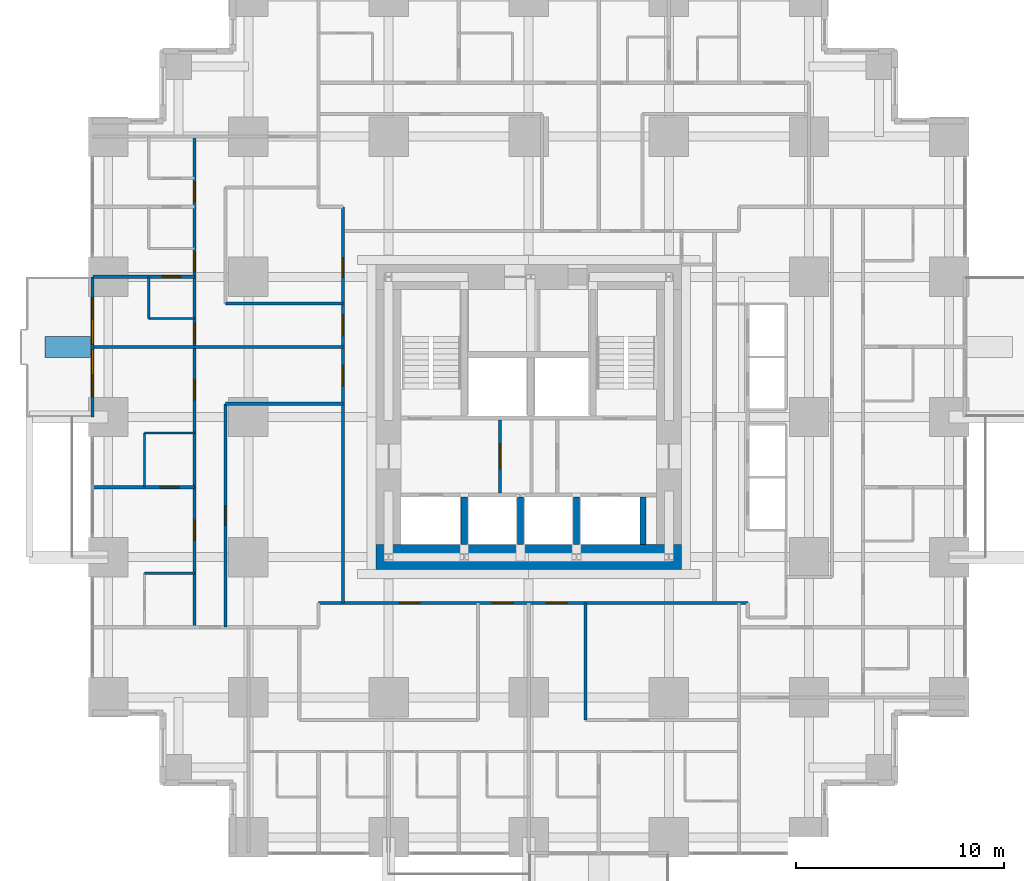
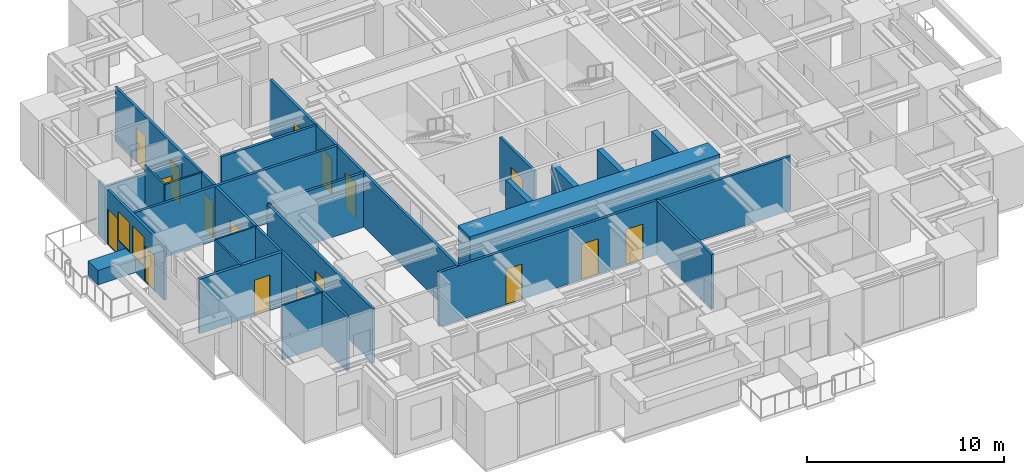
# One storey, part 9 of 14: 23 walls, 17 doors, 2 windows, 19 openings.
"""IFC4 building model written with IfcOpenShell, lengths in metres."""

from ifc_helpers import new_model, si_unit, direction, frame, frame_2d, origin, place, context, subcontext, project, spatial, rectangle, extrude, material, layer, layer_set, type_object, element, fill, save


model = new_model("IFC4")

# Units and contexts
model_context = context("Model", 3, precision=1e-05, world=origin(), true_north=direction((0.0, 1.0)))
body_context = subcontext(model_context, "Body", "Model", "MODEL_VIEW")
ifc_project = project(units=[si_unit("LENGTHUNIT", "METRE"), si_unit("AREAUNIT", "SQUARE_METRE"), si_unit("VOLUMEUNIT", "CUBIC_METRE"), si_unit("PLANEANGLEUNIT", "RADIAN"), si_unit("MASSUNIT", "GRAM", prefix="KILO")], contexts=[model_context])

# Site, building, storey
site_placement = place(None, origin())
site = spatial("IfcSite", under=ifc_project, at=site_placement, CompositionType="ELEMENT")
building_placement = place(site_placement, origin())
building = spatial("IfcBuilding", under=site, at=building_placement, Name="Nyansa Garden Tower", CompositionType="ELEMENT")
storey_placement = place(building_placement, frame((0.0, 0.0, 21.60009765625)))
storey = spatial("IfcBuildingStorey", under=building, at=storey_placement, Name="L05", CompositionType="ELEMENT", Elevation=21.60009765625)

# Wall, opening, door
ifc_material_1 = material(Name="Dense blockwork, plastered both sides, 55 dB", Category="masonry")
ifc_layer_1 = layer(ifc_material_1, 0.175048828125)
ifc_layer_set_1 = layer_set([ifc_layer_1], Name="Acoustic party wall PW175")
wall_type_1 = type_object("IfcWallType", Name="Acoustic party wall PW175", PredefinedType="PARTITIONING", material=ifc_layer_set_1)
wall_1_placement = place(storey_placement, frame((-0.73388671875, 16.875, 0.0), z_axis=(0.0, 0.0, 1.0), x_axis=(1.0, 0.0, 0.0)))
wall_1 = element("IfcWall", 1, at=wall_1_placement, inside=storey, type_object=wall_type_1, Name="Party wall", PredefinedType="PARTITIONING", context=body_context, shape_type="SweptSolid", body=[
    extrude(rectangle(XDim=4.8837890625, YDim=0.175048828125, at=frame_2d((2.44189453125, 0.0))), origin(), (0.0, 0.0, 1.0), 3.375),
])
opening_1_placement = place(wall_1_placement, frame((3.23388671875, 0.0, 0.0)))
opening_1 = element("IfcOpeningElement", 2, at=opening_1_placement, cuts=wall_1, Name="Opening D02", PredefinedType="OPENING", context=body_context, shape_type="SweptSolid", body=[
    extrude(rectangle(XDim=0.89990234375, YDim=2.199951171875, at=frame_2d((0.449951171875, 1.10009765625))), frame((0.0, 0.097412109375, 0.0), z_axis=(0.0, -1.0, 0.0), x_axis=(1.0, 0.0, 0.0)), (0.0, 0.0, 1.0), 0.195068359375),
])
ifc_material_2 = material(Name="Timber flush door", Category="wood")
door_type_1 = type_object("IfcDoorType", Name="En-suite door D02 900x2200", OperationType="SINGLE_SWING_RIGHT", PredefinedType="DOOR", material=ifc_material_2)
door_1_placement = place(opening_1_placement, origin())
door_1 = element("IfcDoor", 3, at=door_1_placement, inside=storey, type_object=door_type_1, Name="Door L05-071", OperationType="SINGLE_SWING_RIGHT", OverallHeight=2.199951171875, OverallWidth=0.89990234375, PredefinedType="DOOR", context=body_context, shape_type="SweptSolid", body=[
    extrude(rectangle(XDim=0.89990234375, YDim=2.199951171875, at=frame_2d((0.449951171875, 1.10009765625))), frame((0.0, 0.02490234375, 0.0), z_axis=(0.0, -1.0, 0.0), x_axis=(1.0, 0.0, 0.0)), (0.0, 0.0, 1.0), 0.050048828125),
])
fill(opening_1, door_1)

wall_2_placement = place(storey_placement, frame((-0.73388671875, 27.0, 0.0), z_axis=(0.0, 0.0, 1.0), x_axis=(1.0, 0.0, 0.0)))
wall_2 = element("IfcWall", 4, at=wall_2_placement, inside=storey, type_object=wall_type_1, Name="Party wall", PredefinedType="PARTITIONING", context=body_context, shape_type="SweptSolid", body=[
    extrude(rectangle(XDim=4.8837890625, YDim=0.175048828125, at=frame_2d((2.44189453125, 0.0))), origin(), (0.0, 0.0, 1.0), 2.876953125),
])
opening_2_placement = place(wall_2_placement, frame((3.333984375, 0.0, 0.0)))
opening_2 = element("IfcOpeningElement", 5, at=opening_2_placement, cuts=wall_2, Name="Opening D02", PredefinedType="OPENING", context=body_context, shape_type="SweptSolid", body=[
    extrude(rectangle(XDim=0.89990234375, YDim=2.199951171875, at=frame_2d((0.449951171875, 1.10009765625))), frame((0.0, 0.097412109375, 0.0), z_axis=(0.0, -1.0, 0.0), x_axis=(1.0, 0.0, 0.0)), (0.0, 0.0, 1.0), 0.195068359375),
])
door_2_placement = place(opening_2_placement, origin())
door_2 = element("IfcDoor", 6, at=door_2_placement, inside=storey, type_object=door_type_1, Name="Door L05-066", OperationType="SINGLE_SWING_RIGHT", OverallHeight=2.199951171875, OverallWidth=0.89990234375, PredefinedType="DOOR", context=body_context, shape_type="SweptSolid", body=[
    extrude(rectangle(XDim=0.89990234375, YDim=2.199951171875, at=frame_2d((0.449951171875, 1.10009765625))), frame((0.0, 0.02490234375, 0.0), z_axis=(0.0, -1.0, 0.0), x_axis=(1.0, 0.0, 0.0)), (0.0, 0.0, 1.0), 0.050048828125),
])
fill(opening_2, door_2)

# Wall, openings, doors, windows
ifc_material_3 = material(Name="Black aluminium framed glazed screen", Category="aluminium")
ifc_layer_2 = layer(ifc_material_3, 0.14990234375)
ifc_layer_set_2 = layer_set([ifc_layer_2], Name="Balcony screen wall BW150")
wall_type_2 = type_object("IfcWallType", Name="Balcony screen wall BW150", PredefinedType="SOLIDWALL", material=ifc_layer_set_2)
wall_3_placement = place(storey_placement, frame((-0.75, 20.25, 0.0), z_axis=(0.0, 0.0, 1.0), x_axis=(0.0, 1.0, 0.0)))
wall_3 = element("IfcWall", 7, at=wall_3_placement, inside=storey, type_object=wall_type_2, Name="Glazed screen wall L05 W", PredefinedType="SOLIDWALL", context=body_context, shape_type="SweptSolid", body=[
    extrude(rectangle(XDim=6.75, YDim=0.14990234375, at=frame_2d((3.375, 0.0))), origin(), (0.0, 0.0, 1.0), 3.375),
])
opening_3_placement = place(wall_3_placement, frame((0.995849609375, 0.0, 0.0)))
opening_3 = element("IfcOpeningElement", 8, at=opening_3_placement, cuts=wall_3, Name="Opening D20", PredefinedType="OPENING", context=body_context, shape_type="SweptSolid", body=[
    extrude(rectangle(XDim=1.0, YDim=2.199951171875, at=frame_2d((0.5, 1.10009765625))), frame((0.0, 0.0849609375, 0.0), z_axis=(0.0, -1.0, 0.0), x_axis=(1.0, 0.0, 0.0)), (0.0, 0.0, 1.0), 0.169921875),
])
opening_4_placement = place(wall_3_placement, frame((2.041748046875, 0.0, 0.89990234375)))
opening_4 = element("IfcOpeningElement", 9, at=opening_4_placement, cuts=wall_3, Name="Opening W6", PredefinedType="OPENING", context=body_context, shape_type="SweptSolid", body=[
    extrude(rectangle(XDim=1.199951171875, YDim=1.800048828125, at=frame_2d((0.60009765625, 0.89990234375))), frame((0.0, 0.0849609375, 0.0), z_axis=(0.0, -1.0, 0.0), x_axis=(1.0, 0.0, 0.0)), (0.0, 0.0, 1.0), 0.169921875),
])
opening_5_placement = place(wall_3_placement, frame((4.754150390625, 0.0, 0.0)))
opening_5 = element("IfcOpeningElement", 10, at=opening_5_placement, cuts=wall_3, Name="Opening D20", PredefinedType="OPENING", context=body_context, shape_type="SweptSolid", body=[
    extrude(rectangle(XDim=1.0, YDim=2.199951171875, at=frame_2d((0.5, 1.10009765625))), frame((0.0, 0.0849609375, 0.0), z_axis=(0.0, -1.0, 0.0), x_axis=(1.0, 0.0, 0.0)), (0.0, 0.0, 1.0), 0.169921875),
])
opening_6_placement = place(wall_3_placement, frame((3.50830078125, 0.0, 0.89990234375)))
opening_6 = element("IfcOpeningElement", 11, at=opening_6_placement, cuts=wall_3, Name="Opening W6", PredefinedType="OPENING", context=body_context, shape_type="SweptSolid", body=[
    extrude(rectangle(XDim=1.199951171875, YDim=1.800048828125, at=frame_2d((0.60009765625, 0.89990234375))), frame((0.0, 0.0849609375, 0.0), z_axis=(0.0, -1.0, 0.0), x_axis=(1.0, 0.0, 0.0)), (0.0, 0.0, 1.0), 0.169921875),
])
ifc_material_4 = material(Name="Black aluminium framed glazed door", Category="aluminium")
door_type_2 = type_object("IfcDoorType", Name="Balcony door D20 1000x2200", OperationType="NOTDEFINED", PredefinedType="DOOR", material=ifc_material_4)
door_3_placement = place(opening_3_placement, origin())
door_3 = element("IfcDoor", 12, at=door_3_placement, inside=storey, type_object=door_type_2, Name="Balcony door L05", OperationType="SINGLE_SWING_LEFT", OverallHeight=2.199951171875, OverallWidth=1.0, PredefinedType="DOOR", context=body_context, shape_type="SweptSolid", body=[
    extrude(rectangle(XDim=1.0, YDim=2.199951171875, at=frame_2d((0.5, 1.10009765625))), frame((0.0, 0.02490234375, 0.0), z_axis=(0.0, -1.0, 0.0), x_axis=(1.0, 0.0, 0.0)), (0.0, 0.0, 1.0), 0.050048828125),
])
fill(opening_3, door_3)
door_4_placement = place(opening_5_placement, origin())
door_4 = element("IfcDoor", 13, at=door_4_placement, inside=storey, type_object=door_type_2, Name="Balcony door L05", OperationType="SINGLE_SWING_RIGHT", OverallHeight=2.199951171875, OverallWidth=1.0, PredefinedType="DOOR", context=body_context, shape_type="SweptSolid", body=[
    extrude(rectangle(XDim=1.0, YDim=2.199951171875, at=frame_2d((0.5, 1.10009765625))), frame((0.0, 0.02490234375, 0.0), z_axis=(0.0, -1.0, 0.0), x_axis=(1.0, 0.0, 0.0)), (0.0, 0.0, 1.0), 0.050048828125),
])
fill(opening_5, door_4)
ifc_material_5 = material(Name="Black aluminium frame, dark tinted double glazing", Category="aluminium")
window_type = type_object("IfcWindowType", Name="Balcony window W6 1200x1800", PartitioningType="SINGLE_PANEL", PredefinedType="WINDOW", material=ifc_material_5)
window_1_placement = place(opening_4_placement, origin())
window_1 = element("IfcWindow", 14, at=window_1_placement, inside=storey, type_object=window_type, Name="Window L05", OverallHeight=1.800048828125, OverallWidth=1.199951171875, PartitioningType="SINGLE_PANEL", PredefinedType="WINDOW", context=body_context, shape_type="SweptSolid", body=[
    extrude(rectangle(XDim=1.199951171875, YDim=1.800048828125, at=frame_2d((0.60009765625, 0.89990234375))), frame((0.0, 0.030029296875, 0.0), z_axis=(0.0, -1.0, 0.0), x_axis=(1.0, 0.0, 0.0)), (0.0, 0.0, 1.0), 0.06005859375),
])
fill(opening_4, window_1)
window_2_placement = place(opening_6_placement, origin())
window_2 = element("IfcWindow", 15, at=window_2_placement, inside=storey, type_object=window_type, Name="Window L05", OverallHeight=1.800048828125, OverallWidth=1.199951171875, PartitioningType="SINGLE_PANEL", PredefinedType="WINDOW", context=body_context, shape_type="SweptSolid", body=[
    extrude(rectangle(XDim=1.199951171875, YDim=1.800048828125, at=frame_2d((0.60009765625, 0.89990234375))), frame((0.0, 0.030029296875, 0.0), z_axis=(0.0, -1.0, 0.0), x_axis=(1.0, 0.0, 0.0)), (0.0, 0.0, 1.0), 0.06005859375),
])
fill(opening_6, window_2)

# Walls
ifc_material_6 = material(Name="Concrete C70/85", Category="concrete")
ifc_layer_3 = layer(ifc_material_6, 0.300048828125)
ifc_layer_set_3 = layer_set([ifc_layer_3], Name="Core inner wall CI300")
wall_type_3 = type_object("IfcWallType", Name="Core inner wall CI300", PredefinedType="SHEAR", material=ifc_layer_set_3)
for number, where, z_axis, x_axis, name in (
    (16, (17.14990234375, 14.10009765625, 0.0), (0.0, 0.0, 1.0), (0.0, 1.0, 0.0), "Core inner wall L05"),
    (17, (19.85009765625, 14.10009765625, 0.0), (0.0, 0.0, 1.0), (0.0, 1.0, 0.0), "Core inner wall L05"),
    (18, (22.550048828125, 14.10009765625, 0.0), (0.0, 0.0, 1.0), (0.0, 1.0, 0.0), "Core inner wall L05"),
    (19, (25.75, 14.10009765625, 0.0), (0.0, 0.0, 1.0), (0.0, 1.0, 0.0), "Core inner wall L05"),
):
    element("IfcWall", number, at=place(storey_placement, frame(where, z_axis=z_axis, x_axis=x_axis)), inside=storey, type_object=wall_type_3, Name=name, PredefinedType="SHEAR", context=body_context, shape_type="SweptSolid", body=[
        extrude(rectangle(XDim=2.2998046875, YDim=0.300048828125, at=frame_2d((1.14990234375, 0.0))), origin(), (0.0, 0.0, 1.0), 3.599853515625),
    ])
ifc_material_7 = material(Name="Concrete C80/95", Category="concrete")
ifc_layer_4 = layer(ifc_material_7, 1.199951171875)
ifc_layer_set_4 = layer_set([ifc_layer_4], Name="Core wall CW1200")
wall_type_4 = type_object("IfcWallType", Name="Core wall CW1200", PredefinedType="SHEAR", material=ifc_layer_set_4)
wall_4_placement = place(storey_placement, frame((12.89990234375, 13.5, 0.0), z_axis=(0.0, 0.0, 1.0), x_axis=(1.0, 0.0, 0.0)))
element("IfcWall", 20, at=wall_4_placement, inside=storey, type_object=wall_type_4, Name="Core wall S L05", PredefinedType="SHEAR", context=body_context, shape_type="SweptSolid", body=[
    extrude(rectangle(XDim=14.7001953125, YDim=1.199951171875, at=frame_2d((7.35009765625, 0.0))), origin(), (0.0, 0.0, 1.0), 3.599853515625),
])

# Wall, opening, door
ifc_material_8 = material(Name="Blockwork, plastered both sides", Category="masonry")
ifc_layer_5 = layer(ifc_material_8, 0.14990234375)
ifc_layer_set_5 = layer_set([ifc_layer_5], Name="Partition PW150")
wall_type_5 = type_object("IfcWallType", Name="Partition PW150", PredefinedType="PARTITIONING", material=ifc_layer_set_5)
wall_5_placement = place(storey_placement, frame((18.875, 16.60009765625, 0.0), z_axis=(0.0, 0.0, 1.0), x_axis=(0.0, 1.0, 0.0)))
wall_5 = element("IfcWall", 21, at=wall_5_placement, inside=storey, type_object=wall_type_5, Name="Partition", PredefinedType="PARTITIONING", context=body_context, shape_type="SweptSolid", body=[
    extrude(rectangle(XDim=3.5, YDim=0.14990234375, at=frame_2d((1.75, 0.0))), origin(), (0.0, 0.0, 1.0), 3.375),
])
opening_7_placement = place(wall_5_placement, frame((1.14990234375, 0.0, 0.0)))
opening_7 = element("IfcOpeningElement", 22, at=opening_7_placement, cuts=wall_5, Name="Opening D06", PredefinedType="OPENING", context=body_context, shape_type="SweptSolid", body=[
    extrude(rectangle(XDim=1.199951171875, YDim=2.199951171875, at=frame_2d((0.60009765625, 1.10009765625))), frame((0.0, 0.0849609375, 0.0), z_axis=(0.0, -1.0, 0.0), x_axis=(1.0, 0.0, 0.0)), (0.0, 0.0, 1.0), 0.169921875),
])
ifc_material_9 = material(Name="Steel door, 120 minute fire resisting", Category="steel")
door_type_3 = type_object("IfcDoorType", Name="Lobby door D06 1200x2200", OperationType="DOUBLE_DOOR_SINGLE_SWING", PredefinedType="DOOR", material=ifc_material_9)
door_5_placement = place(opening_7_placement, origin())
door_5 = element("IfcDoor", 23, at=door_5_placement, inside=storey, type_object=door_type_3, Name="Passenger lift lobby door", OperationType="DOUBLE_DOOR_SINGLE_SWING", OverallHeight=2.199951171875, OverallWidth=1.199951171875, PredefinedType="DOOR", context=body_context, shape_type="SweptSolid", body=[
    extrude(rectangle(XDim=1.199951171875, YDim=2.199951171875, at=frame_2d((0.60009765625, 1.10009765625))), frame((0.0, 0.02490234375, 0.0), z_axis=(0.0, -1.0, 0.0), x_axis=(1.0, 0.0, 0.0)), (0.0, 0.0, 1.0), 0.050048828125),
])
fill(opening_7, door_5)

# Wall
wall_6_placement = place(storey_placement, frame((-0.73388671875, 23.625, 0.0), z_axis=(0.0, 0.0, 1.0), x_axis=(1.0, 0.0, 0.0)))
element("IfcWall", 24, at=wall_6_placement, inside=storey, type_object=wall_type_5, Name="Partition", PredefinedType="PARTITIONING", context=body_context, shape_type="SweptSolid", body=[
    extrude(rectangle(XDim=12.033935546875, YDim=0.14990234375, at=frame_2d((6.01708984375, 0.0))), origin(), (0.0, 0.0, 1.0), 3.375),
])

# Wall, openings, doors
wall_7_placement = place(storey_placement, frame((4.14990234375, 10.125, 0.0), z_axis=(0.0, 0.0, 1.0), x_axis=(0.0, 1.0, 0.0)))
wall_7 = element("IfcWall", 25, at=wall_7_placement, inside=storey, type_object=wall_type_5, Name="Partition", PredefinedType="PARTITIONING", context=body_context, shape_type="SweptSolid", body=[
    extrude(rectangle(XDim=23.625, YDim=0.14990234375, at=frame_2d((11.8125, 0.0))), origin(), (0.0, 0.0, 1.0), 3.375),
])
opening_8_placement = place(wall_7_placement, frame((20.5, 0.0, 0.0)))
opening_8 = element("IfcOpeningElement", 26, at=opening_8_placement, cuts=wall_7, Name="Opening D01", PredefinedType="OPENING", context=body_context, shape_type="SweptSolid", body=[
    extrude(rectangle(XDim=0.949951171875, YDim=2.199951171875, at=frame_2d((0.47509765625, 1.10009765625))), frame((0.0, 0.0849609375, 0.0), z_axis=(0.0, -1.0, 0.0), x_axis=(1.0, 0.0, 0.0)), (0.0, 0.0, 1.0), 0.169921875),
])
opening_9_placement = place(wall_7_placement, frame((17.125, 0.0, 0.0)))
opening_9 = element("IfcOpeningElement", 27, at=opening_9_placement, cuts=wall_7, Name="Opening D01", PredefinedType="OPENING", context=body_context, shape_type="SweptSolid", body=[
    extrude(rectangle(XDim=0.949951171875, YDim=2.199951171875, at=frame_2d((0.47509765625, 1.10009765625))), frame((0.0, 0.0849609375, 0.0), z_axis=(0.0, -1.0, 0.0), x_axis=(1.0, 0.0, 0.0)), (0.0, 0.0, 1.0), 0.169921875),
])
opening_10_placement = place(wall_7_placement, frame((13.699951171875, 0.0, 0.0)))
opening_10 = element("IfcOpeningElement", 28, at=opening_10_placement, cuts=wall_7, Name="Opening D01", PredefinedType="OPENING", context=body_context, shape_type="SweptSolid", body=[
    extrude(rectangle(XDim=0.949951171875, YDim=2.199951171875, at=frame_2d((0.47509765625, 1.10009765625))), frame((0.0, 0.0849609375, 0.0), z_axis=(0.0, -1.0, 0.0), x_axis=(1.0, 0.0, 0.0)), (0.0, 0.0, 1.0), 0.169921875),
])
opening_11_placement = place(wall_7_placement, frame((4.199951171875, 0.0, 0.0)))
opening_11 = element("IfcOpeningElement", 29, at=opening_11_placement, cuts=wall_7, Name="Opening D14", PredefinedType="OPENING", context=body_context, shape_type="SweptSolid", body=[
    extrude(rectangle(XDim=0.949951171875, YDim=2.199951171875, at=frame_2d((0.47509765625, 1.10009765625))), frame((0.0, 0.0849609375, 0.0), z_axis=(0.0, -1.0, 0.0), x_axis=(1.0, 0.0, 0.0)), (0.0, 0.0, 1.0), 0.169921875),
])
opening_12_placement = place(wall_7_placement, frame((10.949951171875, 0.0, 0.0)))
opening_12 = element("IfcOpeningElement", 30, at=opening_12_placement, cuts=wall_7, Name="Opening D14", PredefinedType="OPENING", context=body_context, shape_type="SweptSolid", body=[
    extrude(rectangle(XDim=0.949951171875, YDim=2.199951171875, at=frame_2d((0.47509765625, 1.10009765625))), frame((0.0, 0.0849609375, 0.0), z_axis=(0.0, -1.0, 0.0), x_axis=(1.0, 0.0, 0.0)), (0.0, 0.0, 1.0), 0.169921875),
])
ifc_material_10 = material(Name="Timber flush door, 30 minute fire resisting", Category="wood")
door_type_4 = type_object("IfcDoorType", Name="Bedroom door D01 950x2200", OperationType="SINGLE_SWING_LEFT", PredefinedType="DOOR", material=ifc_material_10)
door_6_placement = place(opening_8_placement, origin())
door_6 = element("IfcDoor", 31, at=door_6_placement, inside=storey, type_object=door_type_4, Name="Door L05-061", OperationType="SINGLE_SWING_LEFT", OverallHeight=2.199951171875, OverallWidth=0.949951171875, PredefinedType="DOOR", context=body_context, shape_type="SweptSolid", body=[
    extrude(rectangle(XDim=0.949951171875, YDim=2.199951171875, at=frame_2d((0.47509765625, 1.10009765625))), frame((0.0, 0.02490234375, 0.0), z_axis=(0.0, -1.0, 0.0), x_axis=(1.0, 0.0, 0.0)), (0.0, 0.0, 1.0), 0.050048828125),
])
fill(opening_8, door_6)
door_7_placement = place(opening_9_placement, origin())
door_7 = element("IfcDoor", 32, at=door_7_placement, inside=storey, type_object=door_type_4, Name="Door L05-063", OperationType="SINGLE_SWING_LEFT", OverallHeight=2.199951171875, OverallWidth=0.949951171875, PredefinedType="DOOR", context=body_context, shape_type="SweptSolid", body=[
    extrude(rectangle(XDim=0.949951171875, YDim=2.199951171875, at=frame_2d((0.47509765625, 1.10009765625))), frame((0.0, 0.02490234375, 0.0), z_axis=(0.0, -1.0, 0.0), x_axis=(1.0, 0.0, 0.0)), (0.0, 0.0, 1.0), 0.050048828125),
])
fill(opening_9, door_7)
door_8_placement = place(opening_10_placement, origin())
door_8 = element("IfcDoor", 33, at=door_8_placement, inside=storey, type_object=door_type_4, Name="Door L05-065", OperationType="SINGLE_SWING_LEFT", OverallHeight=2.199951171875, OverallWidth=0.949951171875, PredefinedType="DOOR", context=body_context, shape_type="SweptSolid", body=[
    extrude(rectangle(XDim=0.949951171875, YDim=2.199951171875, at=frame_2d((0.47509765625, 1.10009765625))), frame((0.0, 0.02490234375, 0.0), z_axis=(0.0, -1.0, 0.0), x_axis=(1.0, 0.0, 0.0)), (0.0, 0.0, 1.0), 0.050048828125),
])
fill(opening_10, door_8)
ifc_material_11 = material(Name="Timber flush door, 60 minute fire resisting, self-closing", Category="wood")
door_type_5 = type_object("IfcDoorType", Name="Studio entrance door D14 950x2200", OperationType="SINGLE_SWING_LEFT", PredefinedType="DOOR", material=ifc_material_11)
door_9_placement = place(opening_11_placement, origin())
door_9 = element("IfcDoor", 34, at=door_9_placement, inside=storey, type_object=door_type_5, Name="Door L05-068", OperationType="SINGLE_SWING_LEFT", OverallHeight=2.199951171875, OverallWidth=0.949951171875, PredefinedType="DOOR", context=body_context, shape_type="SweptSolid", body=[
    extrude(rectangle(XDim=0.949951171875, YDim=2.199951171875, at=frame_2d((0.47509765625, 1.10009765625))), frame((0.0, 0.02490234375, 0.0), z_axis=(0.0, -1.0, 0.0), x_axis=(1.0, 0.0, 0.0)), (0.0, 0.0, 1.0), 0.050048828125),
])
fill(opening_11, door_9)
door_10_placement = place(opening_12_placement, origin())
door_10 = element("IfcDoor", 35, at=door_10_placement, inside=storey, type_object=door_type_5, Name="Door L05-070", OperationType="SINGLE_SWING_LEFT", OverallHeight=2.199951171875, OverallWidth=0.949951171875, PredefinedType="DOOR", context=body_context, shape_type="SweptSolid", body=[
    extrude(rectangle(XDim=0.949951171875, YDim=2.199951171875, at=frame_2d((0.47509765625, 1.10009765625))), frame((0.0, 0.02490234375, 0.0), z_axis=(0.0, -1.0, 0.0), x_axis=(1.0, 0.0, 0.0)), (0.0, 0.0, 1.0), 0.050048828125),
])
fill(opening_12, door_10)

# Wall, opening, door
wall_8_placement = place(storey_placement, frame((5.64990234375, 10.125, 0.0), z_axis=(0.0, 0.0, 1.0), x_axis=(0.0, 1.0, 0.0)))
wall_8 = element("IfcWall", 36, at=wall_8_placement, inside=storey, type_object=wall_type_5, Name="Partition", PredefinedType="PARTITIONING", context=body_context, shape_type="SweptSolid", body=[
    extrude(rectangle(XDim=10.762451171875, YDim=0.14990234375, at=frame_2d((5.38134765625, 0.0))), origin(), (0.0, 0.0, 1.0), 3.375),
])
opening_13_placement = place(wall_8_placement, frame((4.89990234375, 0.0, 0.0)))
opening_13 = element("IfcOpeningElement", 37, at=opening_13_placement, cuts=wall_8, Name="Opening D01", PredefinedType="OPENING", context=body_context, shape_type="SweptSolid", body=[
    extrude(rectangle(XDim=0.949951171875, YDim=2.199951171875, at=frame_2d((0.47509765625, 1.10009765625))), frame((0.0, 0.0849609375, 0.0), z_axis=(0.0, -1.0, 0.0), x_axis=(1.0, 0.0, 0.0)), (0.0, 0.0, 1.0), 0.169921875),
])
door_11_placement = place(opening_13_placement, origin())
door_11 = element("IfcDoor", 38, at=door_11_placement, inside=storey, type_object=door_type_4, Name="Door L05-074", OperationType="SINGLE_SWING_LEFT", OverallHeight=2.199951171875, OverallWidth=0.949951171875, PredefinedType="DOOR", context=body_context, shape_type="SweptSolid", body=[
    extrude(rectangle(XDim=0.949951171875, YDim=2.199951171875, at=frame_2d((0.47509765625, 1.10009765625))), frame((0.0, 0.02490234375, 0.0), z_axis=(0.0, -1.0, 0.0), x_axis=(1.0, 0.0, 0.0)), (0.0, 0.0, 1.0), 0.050048828125),
])
fill(opening_13, door_11)

# Walls
for number, where, z_axis, x_axis, name in (
    (39, (5.64990234375, 20.886962890625, 0.0), (0.0, 0.0, 1.0), (1.0, 0.0, 0.0), "Partition"),
    (40, (5.64990234375, 25.72509765625, 0.0), (0.0, 0.0, 1.0), (1.0, 0.0, 0.0), "Partition"),
):
    element("IfcWall", number, at=place(storey_placement, frame(where, z_axis=z_axis, x_axis=x_axis)), inside=storey, type_object=wall_type_5, Name=name, PredefinedType="PARTITIONING", context=body_context, shape_type="SweptSolid", body=[
        extrude(rectangle(XDim=5.650146484375, YDim=0.14990234375, at=frame_2d((2.8251953125, 0.0))), origin(), (0.0, 0.0, 1.0), 3.375),
    ])

# Wall, openings, doors
wall_9_placement = place(storey_placement, frame((10.125, 11.300048828125, 0.0), z_axis=(0.0, 0.0, 1.0), x_axis=(1.0, 0.0, 0.0)))
wall_9 = element("IfcWall", 41, at=wall_9_placement, inside=storey, type_object=wall_type_5, Name="Partition", PredefinedType="PARTITIONING", context=body_context, shape_type="SweptSolid", body=[
    extrude(rectangle(XDim=20.675048828125, YDim=0.14990234375, at=frame_2d((10.33740234375, 0.0))), origin(), (0.0, 0.0, 1.0), 3.375),
])
opening_14_placement = place(wall_9_placement, frame((8.375, 0.0, 0.0)))
opening_14 = element("IfcOpeningElement", 42, at=opening_14_placement, cuts=wall_9, Name="Opening D03", PredefinedType="OPENING", context=body_context, shape_type="SweptSolid", body=[
    extrude(rectangle(XDim=1.0, YDim=2.199951171875, at=frame_2d((0.5, 1.10009765625))), frame((0.0, 0.0849609375, 0.0), z_axis=(0.0, -1.0, 0.0), x_axis=(1.0, 0.0, 0.0)), (0.0, 0.0, 1.0), 0.169921875),
])
opening_15_placement = place(wall_9_placement, frame((10.97509765625, 0.0, 0.0)))
opening_15 = element("IfcOpeningElement", 43, at=opening_15_placement, cuts=wall_9, Name="Opening D03", PredefinedType="OPENING", context=body_context, shape_type="SweptSolid", body=[
    extrude(rectangle(XDim=1.0, YDim=2.199951171875, at=frame_2d((0.5, 1.10009765625))), frame((0.0, 0.0849609375, 0.0), z_axis=(0.0, -1.0, 0.0), x_axis=(1.0, 0.0, 0.0)), (0.0, 0.0, 1.0), 0.169921875),
])
opening_16_placement = place(wall_9_placement, frame((3.925048828125, 0.0, 0.0)))
opening_16 = element("IfcOpeningElement", 44, at=opening_16_placement, cuts=wall_9, Name="Opening D01", PredefinedType="OPENING", context=body_context, shape_type="SweptSolid", body=[
    extrude(rectangle(XDim=0.949951171875, YDim=2.199951171875, at=frame_2d((0.47509765625, 1.10009765625))), frame((0.0, 0.0849609375, 0.0), z_axis=(0.0, -1.0, 0.0), x_axis=(1.0, 0.0, 0.0)), (0.0, 0.0, 1.0), 0.169921875),
])
door_12_placement = place(opening_16_placement, origin())
door_12 = element("IfcDoor", 45, at=door_12_placement, inside=storey, type_object=door_type_4, Name="Door L05-033", OperationType="SINGLE_SWING_LEFT", OverallHeight=2.199951171875, OverallWidth=0.949951171875, PredefinedType="DOOR", context=body_context, shape_type="SweptSolid", body=[
    extrude(rectangle(XDim=0.949951171875, YDim=2.199951171875, at=frame_2d((0.47509765625, 1.10009765625))), frame((0.0, 0.02490234375, 0.0), z_axis=(0.0, -1.0, 0.0), x_axis=(1.0, 0.0, 0.0)), (0.0, 0.0, 1.0), 0.050048828125),
])
fill(opening_16, door_12)
ifc_material_12 = material(Name="Timber flush door, 60 minute fire resisting", Category="wood")
door_type_6 = type_object("IfcDoorType", Name="Cluster entrance door D03 1000x2200", OperationType="SINGLE_SWING_LEFT", PredefinedType="DOOR", material=ifc_material_12)
door_13_placement = place(opening_14_placement, origin())
door_13 = element("IfcDoor", 46, at=door_13_placement, inside=storey, type_object=door_type_6, Name="Door L05-027", OperationType="SINGLE_SWING_LEFT", OverallHeight=2.199951171875, OverallWidth=1.0, PredefinedType="DOOR", context=body_context, shape_type="SweptSolid", body=[
    extrude(rectangle(XDim=1.0, YDim=2.199951171875, at=frame_2d((0.5, 1.10009765625))), frame((0.0, 0.02490234375, 0.0), z_axis=(0.0, -1.0, 0.0), x_axis=(1.0, 0.0, 0.0)), (0.0, 0.0, 1.0), 0.050048828125),
])
fill(opening_14, door_13)
door_14_placement = place(opening_15_placement, origin())
door_14 = element("IfcDoor", 47, at=door_14_placement, inside=storey, type_object=door_type_6, Name="Door L05-032", OperationType="SINGLE_SWING_LEFT", OverallHeight=2.199951171875, OverallWidth=1.0, PredefinedType="DOOR", context=body_context, shape_type="SweptSolid", body=[
    extrude(rectangle(XDim=1.0, YDim=2.199951171875, at=frame_2d((0.5, 1.10009765625))), frame((0.0, 0.02490234375, 0.0), z_axis=(0.0, -1.0, 0.0), x_axis=(1.0, 0.0, 0.0)), (0.0, 0.0, 1.0), 0.050048828125),
])
fill(opening_15, door_14)

wall_10_placement = place(storey_placement, frame((11.300048828125, 11.300048828125, 0.0), z_axis=(0.0, 0.0, 1.0), x_axis=(0.0, 1.0, 0.0)))
wall_10 = element("IfcWall", 48, at=wall_10_placement, inside=storey, type_object=wall_type_5, Name="Partition", PredefinedType="PARTITIONING", context=body_context, shape_type="SweptSolid", body=[
    extrude(rectangle(XDim=19.074951171875, YDim=0.14990234375, at=frame_2d((9.53759765625, 0.0))), origin(), (0.0, 0.0, 1.0), 3.375),
])
opening_17_placement = place(wall_10_placement, frame((12.875, 0.0, 0.0)))
opening_17 = element("IfcOpeningElement", 49, at=opening_17_placement, cuts=wall_10, Name="Opening D03", PredefinedType="OPENING", context=body_context, shape_type="SweptSolid", body=[
    extrude(rectangle(XDim=1.0, YDim=2.199951171875, at=frame_2d((0.5, 1.10009765625))), frame((0.0, 0.0849609375, 0.0), z_axis=(0.0, -1.0, 0.0), x_axis=(1.0, 0.0, 0.0)), (0.0, 0.0, 1.0), 0.169921875),
])
opening_18_placement = place(wall_10_placement, frame((10.4375, 0.0, 0.0)))
opening_18 = element("IfcOpeningElement", 50, at=opening_18_placement, cuts=wall_10, Name="Opening D03", PredefinedType="OPENING", context=body_context, shape_type="SweptSolid", body=[
    extrude(rectangle(XDim=1.0, YDim=2.199951171875, at=frame_2d((0.5, 1.10009765625))), frame((0.0, 0.0849609375, 0.0), z_axis=(0.0, -1.0, 0.0), x_axis=(1.0, 0.0, 0.0)), (0.0, 0.0, 1.0), 0.169921875),
])
opening_19_placement = place(wall_10_placement, frame((15.675048828125, 0.0, 0.0)))
opening_19 = element("IfcOpeningElement", 51, at=opening_19_placement, cuts=wall_10, Name="Opening D01", PredefinedType="OPENING", context=body_context, shape_type="SweptSolid", body=[
    extrude(rectangle(XDim=0.949951171875, YDim=2.199951171875, at=frame_2d((0.47509765625, 1.10009765625))), frame((0.0, 0.0849609375, 0.0), z_axis=(0.0, -1.0, 0.0), x_axis=(1.0, 0.0, 0.0)), (0.0, 0.0, 1.0), 0.169921875),
])
door_15_placement = place(opening_19_placement, origin())
door_15 = element("IfcDoor", 52, at=door_15_placement, inside=storey, type_object=door_type_4, Name="Door L05-073", OperationType="SINGLE_SWING_LEFT", OverallHeight=2.199951171875, OverallWidth=0.949951171875, PredefinedType="DOOR", context=body_context, shape_type="SweptSolid", body=[
    extrude(rectangle(XDim=0.949951171875, YDim=2.199951171875, at=frame_2d((0.47509765625, 1.10009765625))), frame((0.0, 0.02490234375, 0.0), z_axis=(0.0, -1.0, 0.0), x_axis=(1.0, 0.0, 0.0)), (0.0, 0.0, 1.0), 0.050048828125),
])
fill(opening_19, door_15)
door_16_placement = place(opening_17_placement, origin())
door_16 = element("IfcDoor", 53, at=door_16_placement, inside=storey, type_object=door_type_6, Name="Door L05-067", OperationType="SINGLE_SWING_LEFT", OverallHeight=2.199951171875, OverallWidth=1.0, PredefinedType="DOOR", context=body_context, shape_type="SweptSolid", body=[
    extrude(rectangle(XDim=1.0, YDim=2.199951171875, at=frame_2d((0.5, 1.10009765625))), frame((0.0, 0.02490234375, 0.0), z_axis=(0.0, -1.0, 0.0), x_axis=(1.0, 0.0, 0.0)), (0.0, 0.0, 1.0), 0.050048828125),
])
fill(opening_17, door_16)
door_17_placement = place(opening_18_placement, origin())
door_17 = element("IfcDoor", 54, at=door_17_placement, inside=storey, type_object=door_type_6, Name="Door L05-072", OperationType="SINGLE_SWING_LEFT", OverallHeight=2.199951171875, OverallWidth=1.0, PredefinedType="DOOR", context=body_context, shape_type="SweptSolid", body=[
    extrude(rectangle(XDim=1.0, YDim=2.199951171875, at=frame_2d((0.5, 1.10009765625))), frame((0.0, 0.02490234375, 0.0), z_axis=(0.0, -1.0, 0.0), x_axis=(1.0, 0.0, 0.0)), (0.0, 0.0, 1.0), 0.050048828125),
])
fill(opening_18, door_17)

# Walls
wall_11_placement = place(storey_placement, frame((22.988037109375, 5.64990234375, 0.0), z_axis=(0.0, 0.0, 1.0), x_axis=(0.0, 1.0, 0.0)))
element("IfcWall", 55, at=wall_11_placement, inside=storey, type_object=wall_type_5, Name="Partition", PredefinedType="PARTITIONING", context=body_context, shape_type="SweptSolid", body=[
    extrude(rectangle(XDim=5.650146484375, YDim=0.14990234375, at=frame_2d((2.8251953125, 0.0))), origin(), (0.0, 0.0, 1.0), 3.375),
])
ifc_material_13 = material(Name="Concrete C40/50 planter, waterproofed", Category="concrete")
ifc_layer_6 = layer(ifc_material_13, 1.0)
ifc_layer_set_6 = layer_set([ifc_layer_6], Name="Tree planter TP1")
wall_type_6 = type_object("IfcWallType", Name="Tree planter TP1", PredefinedType="USERDEFINED", material=ifc_layer_set_6)
wall_12_placement = place(storey_placement, frame((-0.85009765625, 23.625, 0.0), z_axis=(0.0, 0.0, 1.0), x_axis=(-1.0, 0.0, 0.0)))
element("IfcWall", 56, at=wall_12_placement, inside=storey, type_object=wall_type_6, Name="Tree planter L05", ObjectType="TREE PLANTER", PredefinedType="USERDEFINED", context=body_context, shape_type="SweptSolid", body=[
    extrude(rectangle(XDim=2.199951171875, YDim=1.0, at=frame_2d((1.10009765625, 0.0))), origin(), (0.0, 0.0, 1.0), 0.89990234375),
])
ifc_material_14 = material(Name="Moisture resistant board on steel studs, tiled", Category="steel")
ifc_layer_7 = layer(ifc_material_14, 0.10009765625)
ifc_layer_set_7 = layer_set([ifc_layer_7], Name="Wet wall PW100")
wall_type_7 = type_object("IfcWallType", Name="Wet wall PW100", PredefinedType="PARTITIONING", material=ifc_layer_set_7)
wall_13_placement = place(storey_placement, frame((1.75, 12.72509765625, 0.0), z_axis=(0.0, 0.0, 1.0), x_axis=(1.0, 0.0, 0.0)))
element("IfcWall", 57, at=wall_13_placement, inside=storey, type_object=wall_type_7, Name="Wet wall", PredefinedType="PARTITIONING", context=body_context, shape_type="SweptSolid", body=[
    extrude(rectangle(XDim=2.39990234375, YDim=0.10009765625, at=frame_2d((1.199951171875, 0.0))), origin(), (0.0, 0.0, 1.0), 3.375),
])
wall_14_placement = place(storey_placement, frame((1.75, 16.875, 0.0), z_axis=(0.0, 0.0, 1.0), x_axis=(0.0, 1.0, 0.0)))
element("IfcWall", 58, at=wall_14_placement, inside=storey, type_object=wall_type_7, Name="Wet wall", PredefinedType="PARTITIONING", context=body_context, shape_type="SweptSolid", body=[
    extrude(rectangle(XDim=2.60009765625, YDim=0.10009765625, at=frame_2d((1.300048828125, 0.0))), origin(), (0.0, 0.0, 1.0), 3.375),
])
wall_15_placement = place(storey_placement, frame((1.75, 19.47509765625, 0.0), z_axis=(0.0, 0.0, 1.0), x_axis=(1.0, 0.0, 0.0)))
element("IfcWall", 59, at=wall_15_placement, inside=storey, type_object=wall_type_7, Name="Wet wall", PredefinedType="PARTITIONING", context=body_context, shape_type="SweptSolid", body=[
    extrude(rectangle(XDim=2.39990234375, YDim=0.10009765625, at=frame_2d((1.199951171875, 0.0))), origin(), (0.0, 0.0, 1.0), 3.375),
])
wall_16_placement = place(storey_placement, frame((1.949951171875, 25.0, 0.0), z_axis=(0.0, 0.0, 1.0), x_axis=(0.0, 1.0, 0.0)))
element("IfcWall", 60, at=wall_16_placement, inside=storey, type_object=wall_type_7, Name="Wet wall", PredefinedType="PARTITIONING", context=body_context, shape_type="SweptSolid", body=[
    extrude(rectangle(XDim=2.0, YDim=0.10009765625, at=frame_2d((1.0, 0.0))), origin(), (0.0, 0.0, 1.0), 3.375),
])
wall_17_placement = place(storey_placement, frame((1.949951171875, 25.0, 0.0), z_axis=(0.0, 0.0, 1.0), x_axis=(1.0, 0.0, 0.0)))
element("IfcWall", 61, at=wall_17_placement, inside=storey, type_object=wall_type_7, Name="Wet wall", PredefinedType="PARTITIONING", context=body_context, shape_type="SweptSolid", body=[
    extrude(rectangle(XDim=2.199951171875, YDim=0.10009765625, at=frame_2d((1.10009765625, 0.0))), origin(), (0.0, 0.0, 1.0), 3.375),
])

save(model, "model.ifc")
